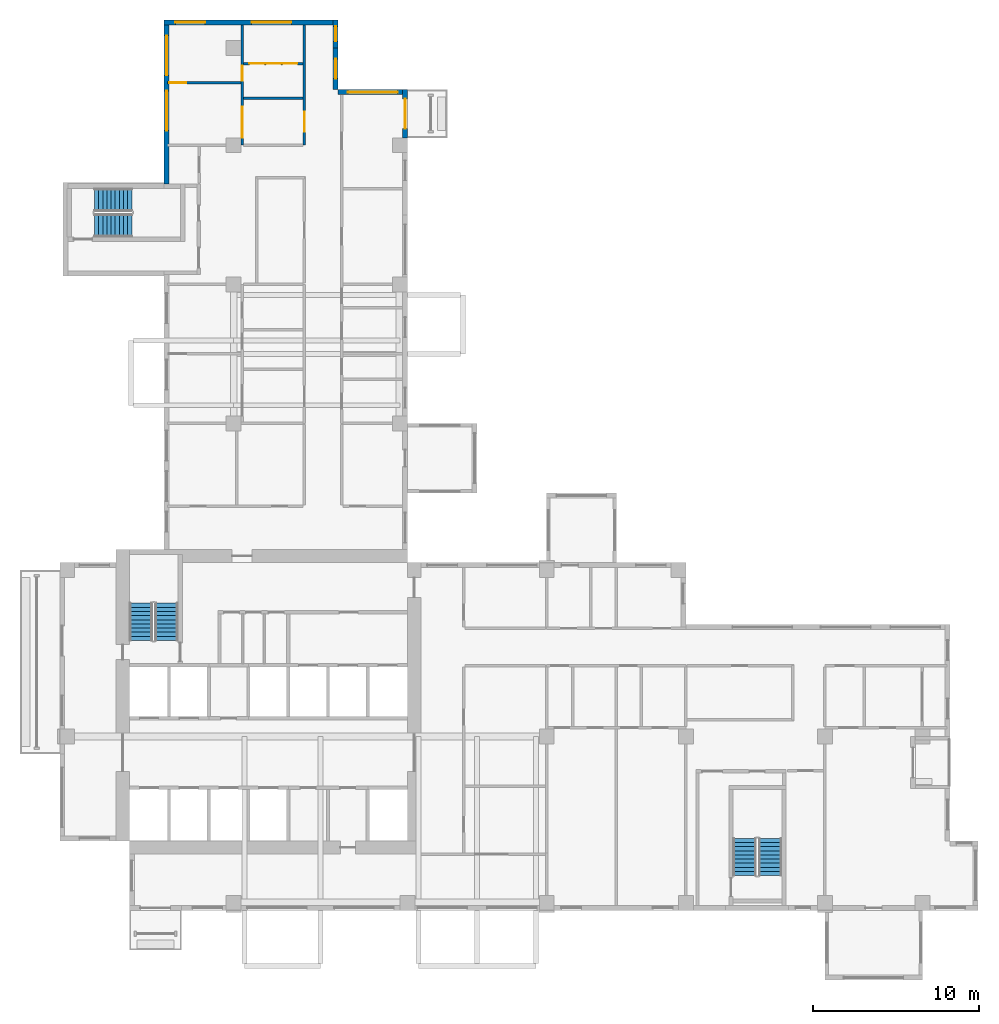
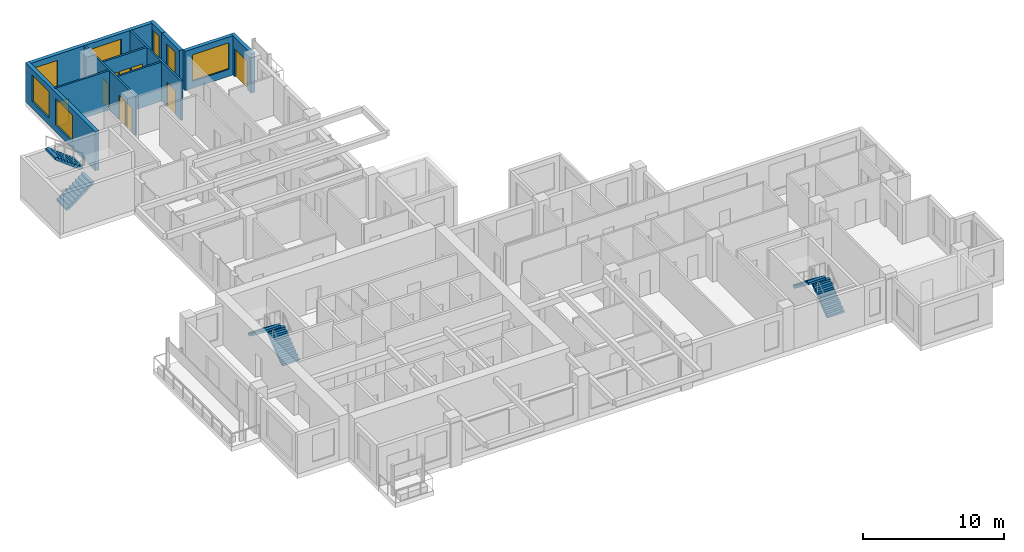
# One storey, part 8 of 12: 11 walls, 9 doors, 7 windows, 6 stair flights, 16 openings, 3 elements without a shape of their own.
"""IFC4 building model written with IfcOpenShell, lengths in metres."""

from ifc_helpers import new_model, si_unit, direction, frame, frame_2d, origin, place, context, subcontext, project, spatial, polyline, rectangle, outline, extrude, source, transform, mapped, material, layer, layer_set, type_object, element, fill, aggregate, save


model = new_model("IFC4")

# Units and contexts
model_context = context("Model", 3, precision=1e-05, world=origin(), true_north=direction((0.0, 1.0)))
body_context = subcontext(model_context, "Body", "Model", "MODEL_VIEW")
ifc_project = project(units=[si_unit("LENGTHUNIT", "METRE"), si_unit("AREAUNIT", "SQUARE_METRE"), si_unit("VOLUMEUNIT", "CUBIC_METRE"), si_unit("PLANEANGLEUNIT", "RADIAN"), si_unit("MASSUNIT", "GRAM", prefix="KILO")], contexts=[model_context])

# Site, building, storey
site_placement = place(None, origin())
site = spatial("IfcSite", under=ifc_project, at=site_placement, CompositionType="ELEMENT")
building_placement = place(site_placement, origin())
building = spatial("IfcBuilding", under=site, at=building_placement, Name="Aurelian Terraces", CompositionType="ELEMENT")
storey_placement = place(building_placement, frame((0.0, 0.0, 215.8)))
storey = spatial("IfcBuildingStorey", under=building, at=storey_placement, Name="L48", CompositionType="ELEMENT", Elevation=215.8)

# Wall, opening, door
ifc_material_1 = material(Name="Terracotta rainscreen cladding", Category="masonry")
ifc_layer_1 = layer(ifc_material_1, 0.3)
ifc_layer_set_1 = layer_set([ifc_layer_1], Name="EW-300")
wall_type_1 = type_object("IfcWallType", Name="EW-300", PredefinedType="STANDARD", material=ifc_layer_set_1)
shared_shape_1 = source(origin(), body_context, "Body", "SweptSolid", [
    extrude(rectangle(XDim=2.91, YDim=0.3, at=frame_2d((1.455, 0.0))), origin(), (0.0, 0.0, 1.0), 3.4),
])
wall_1_placement = place(storey_placement, frame((20.85, 46.65, 0.0), z_axis=(0.0, 0.0, 1.0), x_axis=(0.0, 1.0, 0.0)))
wall_1 = element("IfcWall", 1, at=wall_1_placement, inside=storey, type_object=wall_type_1, Name="External wall L48 F08.22", PredefinedType="STANDARD", context=body_context, shape_type="MappedRepresentation", body=[
    mapped(shared_shape_1, transform((0.0, 0.0, 0.0), scale=1.0)),
])
shared_shape_2 = source(origin(), body_context, "Body", "SweptSolid", [
    extrude(rectangle(XDim=1.8, YDim=2.4, at=frame_2d((0.9, 1.2))), frame((0.0, 0.16, 0.0), z_axis=(0.0, -1.0, 0.0), x_axis=(1.0, 0.0, 0.0)), (0.0, 0.0, 1.0), 0.32),
])
opening_1_placement = place(wall_1_placement, frame((0.555, 0.0, 0.0)))
opening_1 = element("IfcOpeningElement", 2, at=opening_1_placement, cuts=wall_1, Name="Opening 84803", PredefinedType="OPENING", context=body_context, shape_type="MappedRepresentation", body=[
    mapped(shared_shape_2, transform((0.0, 0.0, 0.0), scale=1.0)),
])
ifc_material_2 = material(Name="Clear glazing", Category="glass")
door_type_1 = type_object("IfcDoorType", Name="BD-1800x2400", OperationType="SLIDING_TO_LEFT", PredefinedType="DOOR", material=ifc_material_2)
shared_shape_3 = source(origin(), body_context, "Body", "SweptSolid", [
    extrude(rectangle(XDim=1.8, YDim=2.4, at=frame_2d((0.9, 1.2))), frame((0.0, 0.025, 0.0), z_axis=(0.0, -1.0, 0.0), x_axis=(1.0, 0.0, 0.0)), (0.0, 0.0, 1.0), 0.05),
])
door_1_placement = place(opening_1_placement, origin())
door_1 = element("IfcDoor", 3, at=door_1_placement, inside=storey, type_object=door_type_1, Name="Balcony door L48 F08.22", OperationType="SLIDING_TO_LEFT", OverallHeight=2.4, OverallWidth=1.8, PredefinedType="DOOR", context=body_context, shape_type="MappedRepresentation", body=[
    mapped(shared_shape_3, transform((0.0, 0.0, 0.0), scale=1.0)),
])
fill(opening_1, door_1)

# Wall, opening, window
shared_shape_4 = source(origin(), body_context, "Body", "SweptSolid", [
    extrude(rectangle(XDim=4.2, YDim=0.3, at=frame_2d((2.1, 0.0))), origin(), (0.0, 0.0, 1.0), 3.4),
])
wall_2_placement = place(storey_placement, frame((21.0, 49.41, 0.0), z_axis=(0.0, 0.0, 1.0), x_axis=(-1.0, 0.0, 0.0)))
wall_2 = element("IfcWall", 4, at=wall_2_placement, inside=storey, type_object=wall_type_1, Name="External wall L48 F09.23", PredefinedType="STANDARD", context=body_context, shape_type="MappedRepresentation", body=[
    mapped(shared_shape_4, transform((0.0, 0.0, 0.0), scale=1.0)),
])
shared_shape_5 = source(origin(), body_context, "Body", "SweptSolid", [
    extrude(rectangle(XDim=3.0, YDim=2.3, at=frame_2d((1.5, 1.15))), frame((0.0, 0.16, 0.0), z_axis=(0.0, -1.0, 0.0), x_axis=(1.0, 0.0, 0.0)), (0.0, 0.0, 1.0), 0.32),
])
opening_2_placement = place(wall_2_placement, frame((0.6, 0.0, 0.6)))
opening_2 = element("IfcOpeningElement", 5, at=opening_2_placement, cuts=wall_2, Name="Opening W3023", PredefinedType="OPENING", context=body_context, shape_type="MappedRepresentation", body=[
    mapped(shared_shape_5, transform((0.0, 0.0, 0.0), scale=1.0)),
])
window_type_1 = type_object("IfcWindowType", Name="W-3000x2300", PartitioningType="SINGLE_PANEL", PredefinedType="WINDOW", material=ifc_material_2)
shared_shape_6 = source(origin(), body_context, "Body", "SweptSolid", [
    extrude(rectangle(XDim=3.0, YDim=2.3, at=frame_2d((1.5, 1.15))), frame((0.0, 0.03, 0.0), z_axis=(0.0, -1.0, 0.0), x_axis=(1.0, 0.0, 0.0)), (0.0, 0.0, 1.0), 0.06),
])
window_1_placement = place(opening_2_placement, origin())
window_1 = element("IfcWindow", 6, at=window_1_placement, inside=storey, type_object=window_type_1, Name="Window L48 L48-F09-23-0", OverallHeight=2.3, OverallWidth=3.0, PartitioningType="SINGLE_PANEL", PredefinedType="WINDOW", context=body_context, shape_type="MappedRepresentation", body=[
    mapped(shared_shape_6, transform((0.0, 0.0, 0.0), scale=1.0)),
])
fill(opening_2, window_1)

shared_shape_7 = source(origin(), body_context, "Body", "SweptSolid", [
    extrude(rectangle(XDim=2.52, YDim=0.3, at=frame_2d((1.26, 0.0))), origin(), (0.0, 0.0, 1.0), 3.4),
])
wall_3_placement = place(storey_placement, frame((16.65, 49.56, 0.0), z_axis=(0.0, 0.0, 1.0), x_axis=(0.0, 1.0, 0.0)))
wall_3 = element("IfcWall", 7, at=wall_3_placement, inside=storey, type_object=wall_type_1, Name="External wall L48 F10.24", PredefinedType="STANDARD", context=body_context, shape_type="MappedRepresentation", body=[
    mapped(shared_shape_7, transform((0.0, 0.0, 0.0), scale=1.0)),
])
shared_shape_8 = source(origin(), body_context, "Body", "SweptSolid", [
    extrude(rectangle(XDim=1.2, YDim=2.3, at=frame_2d((0.6, 1.15))), frame((0.0, 0.16, 0.0), z_axis=(0.0, -1.0, 0.0), x_axis=(1.0, 0.0, 0.0)), (0.0, 0.0, 1.0), 0.32),
])
opening_3_placement = place(wall_3_placement, frame((0.66, 0.0, 0.6)))
opening_3 = element("IfcOpeningElement", 8, at=opening_3_placement, cuts=wall_3, Name="Opening W1223", PredefinedType="OPENING", context=body_context, shape_type="MappedRepresentation", body=[
    mapped(shared_shape_8, transform((0.0, 0.0, 0.0), scale=1.0)),
])
window_type_2 = type_object("IfcWindowType", Name="W-1200x2300", PartitioningType="SINGLE_PANEL", PredefinedType="WINDOW", material=ifc_material_2)
shared_shape_9 = source(origin(), body_context, "Body", "SweptSolid", [
    extrude(rectangle(XDim=1.2, YDim=2.3, at=frame_2d((0.6, 1.15))), frame((0.0, 0.03, 0.0), z_axis=(0.0, -1.0, 0.0), x_axis=(1.0, 0.0, 0.0)), (0.0, 0.0, 1.0), 0.06),
])
window_2_placement = place(opening_3_placement, origin())
window_2 = element("IfcWindow", 9, at=window_2_placement, inside=storey, type_object=window_type_2, Name="Window L48 L48-F10-24-0", OverallHeight=2.3, OverallWidth=1.2, PartitioningType="SINGLE_PANEL", PredefinedType="WINDOW", context=body_context, shape_type="MappedRepresentation", body=[
    mapped(shared_shape_9, transform((0.0, 0.0, 0.0), scale=1.0)),
])
fill(opening_3, window_2)

shared_shape_10 = source(origin(), body_context, "Body", "SweptSolid", [
    extrude(rectangle(XDim=1.68, YDim=0.3, at=frame_2d((0.84, 0.0))), origin(), (0.0, 0.0, 1.0), 3.4),
])
wall_4_placement = place(storey_placement, frame((16.65, 52.08, 0.0), z_axis=(0.0, 0.0, 1.0), x_axis=(0.0, 1.0, 0.0)))
wall_4 = element("IfcWall", 10, at=wall_4_placement, inside=storey, type_object=wall_type_1, Name="External wall L48 F10.25", PredefinedType="STANDARD", context=body_context, shape_type="MappedRepresentation", body=[
    mapped(shared_shape_10, transform((0.0, 0.0, 0.0), scale=1.0)),
])
shared_shape_11 = source(origin(), body_context, "Body", "SweptSolid", [
    extrude(rectangle(XDim=0.9, YDim=2.3, at=frame_2d((0.45, 1.15))), frame((0.0, 0.16, 0.0), z_axis=(0.0, -1.0, 0.0), x_axis=(1.0, 0.0, 0.0)), (0.0, 0.0, 1.0), 0.32),
])
opening_4_placement = place(wall_4_placement, frame((0.39, 0.0, 0.6)))
opening_4 = element("IfcOpeningElement", 11, at=opening_4_placement, cuts=wall_4, Name="Opening W0923", PredefinedType="OPENING", context=body_context, shape_type="MappedRepresentation", body=[
    mapped(shared_shape_11, transform((0.0, 0.0, 0.0), scale=1.0)),
])
window_type_3 = type_object("IfcWindowType", Name="W-900x2300", PartitioningType="SINGLE_PANEL", PredefinedType="WINDOW", material=ifc_material_2)
shared_shape_12 = source(origin(), body_context, "Body", "SweptSolid", [
    extrude(rectangle(XDim=0.9, YDim=2.3, at=frame_2d((0.45, 1.15))), frame((0.0, 0.03, 0.0), z_axis=(0.0, -1.0, 0.0), x_axis=(1.0, 0.0, 0.0)), (0.0, 0.0, 1.0), 0.06),
])
window_3_placement = place(opening_4_placement, origin())
window_3 = element("IfcWindow", 12, at=window_3_placement, inside=storey, type_object=window_type_3, Name="Window L48 L48-F10-25-P0", OverallHeight=2.3, OverallWidth=0.9, PartitioningType="SINGLE_PANEL", PredefinedType="WINDOW", context=body_context, shape_type="MappedRepresentation", body=[
    mapped(shared_shape_12, transform((0.0, 0.0, 0.0), scale=1.0)),
])
fill(opening_4, window_3)

# Wall, openings, windows
shared_shape_13 = source(origin(), body_context, "Body", "SweptSolid", [
    extrude(rectangle(XDim=10.5, YDim=0.3, at=frame_2d((5.25, 0.0))), origin(), (0.0, 0.0, 1.0), 3.4),
])
wall_5_placement = place(storey_placement, frame((16.8, 53.61, 0.0), z_axis=(0.0, 0.0, 1.0), x_axis=(-1.0, 0.0, 0.0)))
wall_5 = element("IfcWall", 13, at=wall_5_placement, inside=storey, type_object=wall_type_1, Name="External wall L48 F11.26", PredefinedType="STANDARD", context=body_context, shape_type="MappedRepresentation", body=[
    mapped(shared_shape_13, transform((0.0, 0.0, 0.0), scale=1.0)),
])
shared_shape_14 = source(origin(), body_context, "Body", "SweptSolid", [
    extrude(rectangle(XDim=1.8, YDim=2.3, at=frame_2d((0.9, 1.15))), frame((0.0, 0.16, 0.0), z_axis=(0.0, -1.0, 0.0), x_axis=(1.0, 0.0, 0.0)), (0.0, 0.0, 1.0), 0.32),
])
opening_5_placement = place(wall_5_placement, frame((8.025, 0.0, 0.6)))
opening_5 = element("IfcOpeningElement", 14, at=opening_5_placement, cuts=wall_5, Name="Opening W1823", PredefinedType="OPENING", context=body_context, shape_type="MappedRepresentation", body=[
    mapped(shared_shape_14, transform((0.0, 0.0, 0.0), scale=1.0)),
])
shared_shape_15 = source(origin(), body_context, "Body", "SweptSolid", [
    extrude(rectangle(XDim=2.4, YDim=2.3, at=frame_2d((1.2, 1.15))), frame((0.0, 0.16, 0.0), z_axis=(0.0, -1.0, 0.0), x_axis=(1.0, 0.0, 0.0)), (0.0, 0.0, 1.0), 0.32),
])
opening_6_placement = place(wall_5_placement, frame((2.8125, 0.0, 0.6)))
opening_6 = element("IfcOpeningElement", 15, at=opening_6_placement, cuts=wall_5, Name="Opening W2423", PredefinedType="OPENING", context=body_context, shape_type="MappedRepresentation", body=[
    mapped(shared_shape_15, transform((0.0, 0.0, 0.0), scale=1.0)),
])
window_type_4 = type_object("IfcWindowType", Name="W-1800x2300", PartitioningType="SINGLE_PANEL", PredefinedType="WINDOW", material=ifc_material_2)
shared_shape_16 = source(origin(), body_context, "Body", "SweptSolid", [
    extrude(rectangle(XDim=1.8, YDim=2.3, at=frame_2d((0.9, 1.15))), frame((0.0, 0.03, 0.0), z_axis=(0.0, -1.0, 0.0), x_axis=(1.0, 0.0, 0.0)), (0.0, 0.0, 1.0), 0.06),
])
window_4_placement = place(opening_5_placement, origin())
window_4 = element("IfcWindow", 16, at=window_4_placement, inside=storey, type_object=window_type_4, Name="Window L48 L48-F11-26-2", OverallHeight=2.3, OverallWidth=1.8, PartitioningType="SINGLE_PANEL", PredefinedType="WINDOW", context=body_context, shape_type="MappedRepresentation", body=[
    mapped(shared_shape_16, transform((0.0, 0.0, 0.0), scale=1.0)),
])
fill(opening_5, window_4)
window_type_5 = type_object("IfcWindowType", Name="W-2400x2300", PartitioningType="SINGLE_PANEL", PredefinedType="WINDOW", material=ifc_material_2)
shared_shape_17 = source(origin(), body_context, "Body", "SweptSolid", [
    extrude(rectangle(XDim=2.4, YDim=2.3, at=frame_2d((1.2, 1.15))), frame((0.0, 0.03, 0.0), z_axis=(0.0, -1.0, 0.0), x_axis=(1.0, 0.0, 0.0)), (0.0, 0.0, 1.0), 0.06),
])
window_5_placement = place(opening_6_placement, origin())
window_5 = element("IfcWindow", 17, at=window_5_placement, inside=storey, type_object=window_type_5, Name="Window L48 L48-F11-26-G0-0", OverallHeight=2.3, OverallWidth=2.4, PartitioningType="SINGLE_PANEL", PredefinedType="WINDOW", context=body_context, shape_type="MappedRepresentation", body=[
    mapped(shared_shape_17, transform((0.0, 0.0, 0.0), scale=1.0)),
])
fill(opening_6, window_5)

shared_shape_18 = source(origin(), body_context, "Body", "SweptSolid", [
    extrude(rectangle(XDim=9.91, YDim=0.3, at=frame_2d((4.955, 0.0))), origin(), (0.0, 0.0, 1.0), 3.4),
])
wall_6_placement = place(storey_placement, frame((6.45, 53.76, 0.0), z_axis=(0.0, 0.0, 1.0), x_axis=(0.0, -1.0, 0.0)))
wall_6 = element("IfcWall", 18, at=wall_6_placement, inside=storey, type_object=wall_type_1, Name="External wall L48 F12.27", PredefinedType="STANDARD", context=body_context, shape_type="MappedRepresentation", body=[
    mapped(shared_shape_18, transform((0.0, 0.0, 0.0), scale=1.0)),
])
opening_7_placement = place(wall_6_placement, frame((4.2725, 0.0, 0.6)))
opening_7 = element("IfcOpeningElement", 19, at=opening_7_placement, cuts=wall_6, Name="Opening W2423", PredefinedType="OPENING", context=body_context, shape_type="MappedRepresentation", body=[
    mapped(shared_shape_15, transform((0.0, 0.0, 0.0), scale=1.0)),
])
opening_8_placement = place(wall_6_placement, frame((0.9363, 0.0, 0.6)))
opening_8 = element("IfcOpeningElement", 20, at=opening_8_placement, cuts=wall_6, Name="Opening W2423", PredefinedType="OPENING", context=body_context, shape_type="MappedRepresentation", body=[
    mapped(shared_shape_15, transform((0.0, 0.0, 0.0), scale=1.0)),
])
window_6_placement = place(opening_7_placement, origin())
window_6 = element("IfcWindow", 21, at=window_6_placement, inside=storey, type_object=window_type_5, Name="Window L48 L48-F12-27-1", OverallHeight=2.3, OverallWidth=2.4, PartitioningType="SINGLE_PANEL", PredefinedType="WINDOW", context=body_context, shape_type="MappedRepresentation", body=[
    mapped(shared_shape_17, transform((0.0, 0.0, 0.0), scale=1.0)),
])
fill(opening_7, window_6)
window_7_placement = place(opening_8_placement, origin())
window_7 = element("IfcWindow", 22, at=window_7_placement, inside=storey, type_object=window_type_5, Name="Window L48 L48-F12-27-G0-0", OverallHeight=2.3, OverallWidth=2.4, PartitioningType="SINGLE_PANEL", PredefinedType="WINDOW", context=body_context, shape_type="MappedRepresentation", body=[
    mapped(shared_shape_17, transform((0.0, 0.0, 0.0), scale=1.0)),
])
fill(opening_8, window_7)

# Wall
ifc_material_3 = material(Name="Gypsum board on steel studs", Category="steel")
ifc_layer_2 = layer(ifc_material_3, 0.15)
ifc_layer_set_2 = layer_set([ifc_layer_2], Name="Partition 150")
wall_type_2 = type_object("IfcWallType", Name="Partition 150", PredefinedType="PARTITIONING", material=ifc_layer_set_2)
shared_shape_19 = source(origin(), body_context, "Body", "SweptSolid", [
    extrude(rectangle(XDim=3.6, YDim=0.15, at=frame_2d((1.8, 0.0))), origin(), (0.0, 0.0, 1.0), 3.4),
])
wall_7_placement = place(storey_placement, frame((14.7, 49.0491, 0.0), z_axis=(0.0, 0.0, 1.0), x_axis=(-1.0, 0.0, 0.0)))
element("IfcWall", 23, at=wall_7_placement, inside=storey, type_object=wall_type_2, Name="Partition", PredefinedType="PARTITIONING", context=body_context, shape_type="MappedRepresentation", body=[
    mapped(shared_shape_19, transform((0.0, 0.0, 0.0), scale=1.0)),
])

# Wall, openings, doors
wall_8_placement = place(storey_placement, frame((14.7, 51.1297, 0.0), z_axis=(0.0, 0.0, 1.0), x_axis=(-1.0, 0.0, 0.0)))
wall_8 = element("IfcWall", 24, at=wall_8_placement, inside=storey, type_object=wall_type_2, Name="Partition", PredefinedType="PARTITIONING", context=body_context, shape_type="MappedRepresentation", body=[
    mapped(shared_shape_19, transform((0.0, 0.0, 0.0), scale=1.0)),
])
shared_shape_20 = source(origin(), body_context, "Body", "SweptSolid", [
    extrude(rectangle(XDim=0.9, YDim=2.1, at=frame_2d((0.45, 1.05))), frame((0.0, 0.085, 0.0), z_axis=(0.0, -1.0, 0.0), x_axis=(1.0, 0.0, 0.0)), (0.0, 0.0, 1.0), 0.17),
])
opening_9_placement = place(wall_8_placement, frame((1.35, 0.0, 0.0)))
opening_9 = element("IfcOpeningElement", 25, at=opening_9_placement, cuts=wall_8, Name="Opening 748043", PredefinedType="OPENING", context=body_context, shape_type="MappedRepresentation", body=[
    mapped(shared_shape_20, transform((0.0, 0.0, 0.0), scale=1.0)),
])
opening_10_placement = place(wall_8_placement, frame((0.35, 0.0, 0.0)))
opening_10 = element("IfcOpeningElement", 26, at=opening_10_placement, cuts=wall_8, Name="Opening 748045", PredefinedType="OPENING", context=body_context, shape_type="MappedRepresentation", body=[
    mapped(shared_shape_20, transform((0.0, 0.0, 0.0), scale=1.0)),
])
opening_11_placement = place(wall_8_placement, frame((2.35, 0.0, 0.0)))
opening_11 = element("IfcOpeningElement", 27, at=opening_11_placement, cuts=wall_8, Name="Opening 748047", PredefinedType="OPENING", context=body_context, shape_type="MappedRepresentation", body=[
    mapped(shared_shape_20, transform((0.0, 0.0, 0.0), scale=1.0)),
])
ifc_material_4 = material(Name="Timber door leaf", Category="wood")
door_type_2 = type_object("IfcDoorType", Name="Room door 900x2100 left", OperationType="SINGLE_SWING_LEFT", PredefinedType="DOOR", material=ifc_material_4)
shared_shape_21 = source(origin(), body_context, "Body", "SweptSolid", [
    extrude(rectangle(XDim=0.9, YDim=2.1, at=frame_2d((0.45, 1.05))), frame((0.0, 0.025, 0.0), z_axis=(0.0, -1.0, 0.0), x_axis=(1.0, 0.0, 0.0)), (0.0, 0.0, 1.0), 0.05),
])
door_2_placement = place(opening_9_placement, origin())
door_2 = element("IfcDoor", 28, at=door_2_placement, inside=storey, type_object=door_type_2, Name="Door 748043", OperationType="SINGLE_SWING_LEFT", OverallHeight=2.1, OverallWidth=0.9, PredefinedType="DOOR", context=body_context, shape_type="MappedRepresentation", body=[
    mapped(shared_shape_21, transform((0.0, 0.0, 0.0), scale=1.0)),
])
fill(opening_9, door_2)
ifc_material_5 = material(Name="Steel door leaf", Category="steel")
door_type_3 = type_object("IfcDoorType", Name="Entrance fire door 900x2100 left", OperationType="SINGLE_SWING_LEFT", PredefinedType="DOOR", material=ifc_material_5)
door_3_placement = place(opening_10_placement, origin())
door_3 = element("IfcDoor", 29, at=door_3_placement, inside=storey, type_object=door_type_3, Name="Door 748045", OperationType="SINGLE_SWING_LEFT", OverallHeight=2.1, OverallWidth=0.9, PredefinedType="DOOR", context=body_context, shape_type="MappedRepresentation", body=[
    mapped(shared_shape_21, transform((0.0, 0.0, 0.0), scale=1.0)),
])
fill(opening_10, door_3)
door_4_placement = place(opening_11_placement, origin())
door_4 = element("IfcDoor", 30, at=door_4_placement, inside=storey, type_object=door_type_3, Name="Door 748047", OperationType="SINGLE_SWING_LEFT", OverallHeight=2.1, OverallWidth=0.9, PredefinedType="DOOR", context=body_context, shape_type="MappedRepresentation", body=[
    mapped(shared_shape_21, transform((0.0, 0.0, 0.0), scale=1.0)),
])
fill(opening_11, door_4)

shared_shape_22 = source(origin(), body_context, "Body", "SweptSolid", [
    extrude(rectangle(XDim=7.26, YDim=0.15, at=frame_2d((3.63, 0.0))), origin(), (0.0, 0.0, 1.0), 3.4),
])
wall_9_placement = place(storey_placement, frame((11.025, 46.2, 0.0), z_axis=(0.0, 0.0, 1.0), x_axis=(0.0, 1.0, 0.0)))
wall_9 = element("IfcWall", 31, at=wall_9_placement, inside=storey, type_object=wall_type_2, Name="Partition", PredefinedType="PARTITIONING", context=body_context, shape_type="MappedRepresentation", body=[
    mapped(shared_shape_22, transform((0.0, 0.0, 0.0), scale=1.0)),
])
opening_12_placement = place(wall_9_placement, frame((1.412, 0.0, 0.0)))
opening_12 = element("IfcOpeningElement", 32, at=opening_12_placement, cuts=wall_9, Name="Opening 748031", PredefinedType="OPENING", context=body_context, shape_type="MappedRepresentation", body=[
    mapped(shared_shape_20, transform((0.0, 0.0, 0.0), scale=1.0)),
])
opening_13_placement = place(wall_9_placement, frame((0.46, 0.0, 0.0)))
opening_13 = element("IfcOpeningElement", 33, at=opening_13_placement, cuts=wall_9, Name="Opening 748032", PredefinedType="OPENING", context=body_context, shape_type="MappedRepresentation", body=[
    mapped(shared_shape_20, transform((0.0, 0.0, 0.0), scale=1.0)),
])
opening_14_placement = place(wall_9_placement, frame((3.901, 0.0, 0.0)))
opening_14 = element("IfcOpeningElement", 34, at=opening_14_placement, cuts=wall_9, Name="Opening 748034", PredefinedType="OPENING", context=body_context, shape_type="MappedRepresentation", body=[
    mapped(shared_shape_20, transform((0.0, 0.0, 0.0), scale=1.0)),
])
door_5_placement = place(opening_12_placement, origin())
door_5 = element("IfcDoor", 35, at=door_5_placement, inside=storey, type_object=door_type_2, Name="Door 748031", OperationType="SINGLE_SWING_LEFT", OverallHeight=2.1, OverallWidth=0.9, PredefinedType="DOOR", context=body_context, shape_type="MappedRepresentation", body=[
    mapped(shared_shape_21, transform((0.0, 0.0, 0.0), scale=1.0)),
])
fill(opening_12, door_5)
door_type_4 = type_object("IfcDoorType", Name="Room door 900x2100 right", OperationType="SINGLE_SWING_RIGHT", PredefinedType="DOOR", material=ifc_material_4)
door_6_placement = place(opening_13_placement, origin())
door_6 = element("IfcDoor", 36, at=door_6_placement, inside=storey, type_object=door_type_4, Name="Door 748032", OperationType="SINGLE_SWING_RIGHT", OverallHeight=2.1, OverallWidth=0.9, PredefinedType="DOOR", context=body_context, shape_type="MappedRepresentation", body=[
    mapped(shared_shape_21, transform((0.0, 0.0, 0.0), scale=1.0)),
])
fill(opening_13, door_6)
door_7_placement = place(opening_14_placement, origin())
door_7 = element("IfcDoor", 37, at=door_7_placement, inside=storey, type_object=door_type_4, Name="Door 748034", OperationType="SINGLE_SWING_RIGHT", OverallHeight=2.1, OverallWidth=0.9, PredefinedType="DOOR", context=body_context, shape_type="MappedRepresentation", body=[
    mapped(shared_shape_21, transform((0.0, 0.0, 0.0), scale=1.0)),
])
fill(opening_14, door_7)

# Wall, opening, door
ifc_layer_3 = layer(ifc_material_3, 0.15)
ifc_layer_set_3 = layer_set([ifc_layer_3], Name="Fire partition 150")
wall_type_3 = type_object("IfcWallType", Name="Fire partition 150", PredefinedType="PARTITIONING", material=ifc_layer_set_3)
wall_10_placement = place(storey_placement, frame((14.775, 46.2, 0.0), z_axis=(0.0, 0.0, 1.0), x_axis=(0.0, 1.0, 0.0)))
wall_10 = element("IfcWall", 38, at=wall_10_placement, inside=storey, type_object=wall_type_3, Name="Corridor wall", PredefinedType="PARTITIONING", context=body_context, shape_type="MappedRepresentation", body=[
    mapped(shared_shape_22, transform((0.0, 0.0, 0.0), scale=1.0)),
])
shared_shape_23 = source(origin(), body_context, "Body", "SweptSolid", [
    extrude(rectangle(XDim=1.2, YDim=2.1, at=frame_2d((0.6, 1.05))), frame((0.0, 0.085, 0.0), z_axis=(0.0, -1.0, 0.0), x_axis=(1.0, 0.0, 0.0)), (0.0, 0.0, 1.0), 0.17),
])
opening_15_placement = place(wall_10_placement, frame((0.8246, 0.0, 0.0)))
opening_15 = element("IfcOpeningElement", 39, at=opening_15_placement, cuts=wall_10, Name="Opening 748030", PredefinedType="OPENING", context=body_context, shape_type="MappedRepresentation", body=[
    mapped(shared_shape_23, transform((0.0, 0.0, 0.0), scale=1.0)),
])
door_type_5 = type_object("IfcDoorType", Name="Entrance fire door 1200x2100 right", OperationType="SINGLE_SWING_RIGHT", PredefinedType="DOOR", material=ifc_material_5)
shared_shape_24 = source(origin(), body_context, "Body", "SweptSolid", [
    extrude(rectangle(XDim=1.2, YDim=2.1, at=frame_2d((0.6, 1.05))), frame((0.0, 0.025, 0.0), z_axis=(0.0, -1.0, 0.0), x_axis=(1.0, 0.0, 0.0)), (0.0, 0.0, 1.0), 0.05),
])
door_8_placement = place(opening_15_placement, origin())
door_8 = element("IfcDoor", 40, at=door_8_placement, inside=storey, type_object=door_type_5, Name="Door 748030", OperationType="SINGLE_SWING_RIGHT", OverallHeight=2.1, OverallWidth=1.2, PredefinedType="DOOR", context=body_context, shape_type="MappedRepresentation", body=[
    mapped(shared_shape_24, transform((0.0, 0.0, 0.0), scale=1.0)),
])
fill(opening_15, door_8)

shared_shape_25 = source(origin(), body_context, "Body", "SweptSolid", [
    extrude(rectangle(XDim=4.445, YDim=0.15, at=frame_2d((2.2225, 0.0))), origin(), (0.0, 0.0, 1.0), 3.4),
])
wall_11_placement = place(storey_placement, frame((10.95, 49.98, 0.0), z_axis=(0.0, 0.0, 1.0), x_axis=(-1.0, 0.0, 0.0)))
wall_11 = element("IfcWall", 41, at=wall_11_placement, inside=storey, type_object=wall_type_2, Name="Partition", PredefinedType="PARTITIONING", context=body_context, shape_type="MappedRepresentation", body=[
    mapped(shared_shape_25, transform((0.0, 0.0, 0.0), scale=1.0)),
])
shared_shape_26 = source(origin(), body_context, "Body", "SweptSolid", [
    extrude(rectangle(XDim=1.0, YDim=2.1, at=frame_2d((0.5, 1.05))), frame((0.0, 0.085, 0.0), z_axis=(0.0, -1.0, 0.0), x_axis=(1.0, 0.0, 0.0)), (0.0, 0.0, 1.0), 0.17),
])
opening_16_placement = place(wall_11_placement, frame((3.325, 0.0, 0.0)))
opening_16 = element("IfcOpeningElement", 42, at=opening_16_placement, cuts=wall_11, Name="Opening 748033", PredefinedType="OPENING", context=body_context, shape_type="MappedRepresentation", body=[
    mapped(shared_shape_26, transform((0.0, 0.0, 0.0), scale=1.0)),
])
door_type_6 = type_object("IfcDoorType", Name="Room door 1000x2100 left", OperationType="SINGLE_SWING_LEFT", PredefinedType="DOOR", material=ifc_material_4)
shared_shape_27 = source(origin(), body_context, "Body", "SweptSolid", [
    extrude(rectangle(XDim=1.0, YDim=2.1, at=frame_2d((0.5, 1.05))), frame((0.0, 0.025, 0.0), z_axis=(0.0, -1.0, 0.0), x_axis=(1.0, 0.0, 0.0)), (0.0, 0.0, 1.0), 0.05),
])
door_9_placement = place(opening_16_placement, origin())
door_9 = element("IfcDoor", 43, at=door_9_placement, inside=storey, type_object=door_type_6, Name="Door 748033", OperationType="SINGLE_SWING_LEFT", OverallHeight=2.1, OverallWidth=1.0, PredefinedType="DOOR", context=body_context, shape_type="MappedRepresentation", body=[
    mapped(shared_shape_27, transform((0.0, 0.0, 0.0), scale=1.0)),
])
fill(opening_16, door_9)

# Stair, stair flights
ifc_material_6 = material(Name="Concrete fc' 40 MPa", Category="concrete")
stair_type = type_object("IfcStairType", Name="Stair 1400", PredefinedType="HALF_TURN_STAIR", material=ifc_material_6)
stair_1_placement = place(storey_placement, origin())
stair_1 = element("IfcStair", 44, at=stair_1_placement, inside=storey, type_object=stair_type, Name="L48 S1", PredefinedType="HALF_TURN_STAIR")
stair_flight_type = type_object("IfcStairFlightType", Name="Stair flight 1400", PredefinedType="STRAIGHT", material=ifc_material_6)
shared_shape_28 = source(origin(), body_context, "Body", "SweptSolid", [
    extrude(outline(polyline([(0.0, 0.0), (0.0, 0.19), (0.25, 0.19), (0.25, 0.38), (0.5, 0.38), (0.5, 0.57), (0.75, 0.57), (0.75, 0.76), (1.0, 0.76), (1.0, 0.95), (1.25, 0.95), (1.25, 1.14), (1.5, 1.14), (1.5, 1.33), (1.75, 1.33), (1.75, 1.52), (2.0, 1.52), (2.0, 1.71), (2.25, 1.71), (2.25, 1.9), (2.25, 1.5216), (0.2479, 0.0), (0.0, 0.0)])), frame((0.0, 0.7, 0.0), z_axis=(0.0, -1.0, 0.0), x_axis=(1.0, 0.0, 0.0)), (0.0, 0.0, 1.0), 1.4),
])
stair_flight_1_placement = place(storey_placement, frame((6.45, 16.3, 2e-08), z_axis=(0.0, 0.0, 1.0), x_axis=(0.0, 1.0, 0.0)))
stair_flight_1 = element("IfcStairFlight", 45, at=stair_flight_1_placement, type_object=stair_flight_type, Name="S1 flight 1", NumberOfRisers=10, NumberOfTreads=9, PredefinedType="STRAIGHT", RiserHeight=0.19, TreadLength=0.25, context=body_context, shape_type="MappedRepresentation", body=[
    mapped(shared_shape_28, transform((0.0, 0.0, 0.0), scale=1.0)),
])
stair_flight_2_placement = place(storey_placement, frame((4.9, 18.55, 1.9000000199999774), z_axis=(0.0, 0.0, 1.0), x_axis=(0.0, -1.0, 0.0)))
stair_flight_2 = element("IfcStairFlight", 46, at=stair_flight_2_placement, type_object=stair_flight_type, Name="S1 flight 2", NumberOfRisers=10, NumberOfTreads=9, PredefinedType="STRAIGHT", RiserHeight=0.19, TreadLength=0.25, context=body_context, shape_type="MappedRepresentation", body=[
    mapped(shared_shape_28, transform((0.0, 0.0, 0.0), scale=1.0)),
])
aggregate(stair_1, [stair_flight_1, stair_flight_2])

stair_2_placement = place(storey_placement, origin())
stair_2 = element("IfcStair", 47, at=stair_2_placement, inside=storey, type_object=stair_type, Name="L48 S2", PredefinedType="HALF_TURN_STAIR")
stair_flight_3_placement = place(storey_placement, frame((42.9, 2.1, 2e-08), z_axis=(0.0, 0.0, 1.0), x_axis=(0.0, 1.0, 0.0)))
stair_flight_3 = element("IfcStairFlight", 48, at=stair_flight_3_placement, type_object=stair_flight_type, Name="S2 flight 1", NumberOfRisers=10, NumberOfTreads=9, PredefinedType="STRAIGHT", RiserHeight=0.19, TreadLength=0.25, context=body_context, shape_type="MappedRepresentation", body=[
    mapped(shared_shape_28, transform((0.0, 0.0, 0.0), scale=1.0)),
])
stair_flight_4_placement = place(storey_placement, frame((41.35, 4.35, 1.9000000199999774), z_axis=(0.0, 0.0, 1.0), x_axis=(0.0, -1.0, 0.0)))
stair_flight_4 = element("IfcStairFlight", 49, at=stair_flight_4_placement, type_object=stair_flight_type, Name="S2 flight 2", NumberOfRisers=10, NumberOfTreads=9, PredefinedType="STRAIGHT", RiserHeight=0.19, TreadLength=0.25, context=body_context, shape_type="MappedRepresentation", body=[
    mapped(shared_shape_28, transform((0.0, 0.0, 0.0), scale=1.0)),
])
aggregate(stair_2, [stair_flight_3, stair_flight_4])

stair_3_placement = place(storey_placement, origin())
stair_3 = element("IfcStair", 50, at=stair_3_placement, inside=storey, type_object=stair_type, Name="L48 S3", PredefinedType="HALF_TURN_STAIR")
stair_flight_5_placement = place(storey_placement, frame((2.1, 41.35, 2e-08), z_axis=(0.0, 0.0, 1.0), x_axis=(1.0, 0.0, 0.0)))
stair_flight_5 = element("IfcStairFlight", 51, at=stair_flight_5_placement, type_object=stair_flight_type, Name="S3 flight 1", NumberOfRisers=10, NumberOfTreads=9, PredefinedType="STRAIGHT", RiserHeight=0.19, TreadLength=0.25, context=body_context, shape_type="MappedRepresentation", body=[
    mapped(shared_shape_28, transform((0.0, 0.0, 0.0), scale=1.0)),
])
stair_flight_6_placement = place(storey_placement, frame((4.35, 42.9, 1.9000000199999774), z_axis=(0.0, 0.0, 1.0), x_axis=(-1.0, 0.0, 0.0)))
stair_flight_6 = element("IfcStairFlight", 52, at=stair_flight_6_placement, type_object=stair_flight_type, Name="S3 flight 2", NumberOfRisers=10, NumberOfTreads=9, PredefinedType="STRAIGHT", RiserHeight=0.19, TreadLength=0.25, context=body_context, shape_type="MappedRepresentation", body=[
    mapped(shared_shape_28, transform((0.0, 0.0, 0.0), scale=1.0)),
])
aggregate(stair_3, [stair_flight_5, stair_flight_6])

save(model, "model.ifc")
